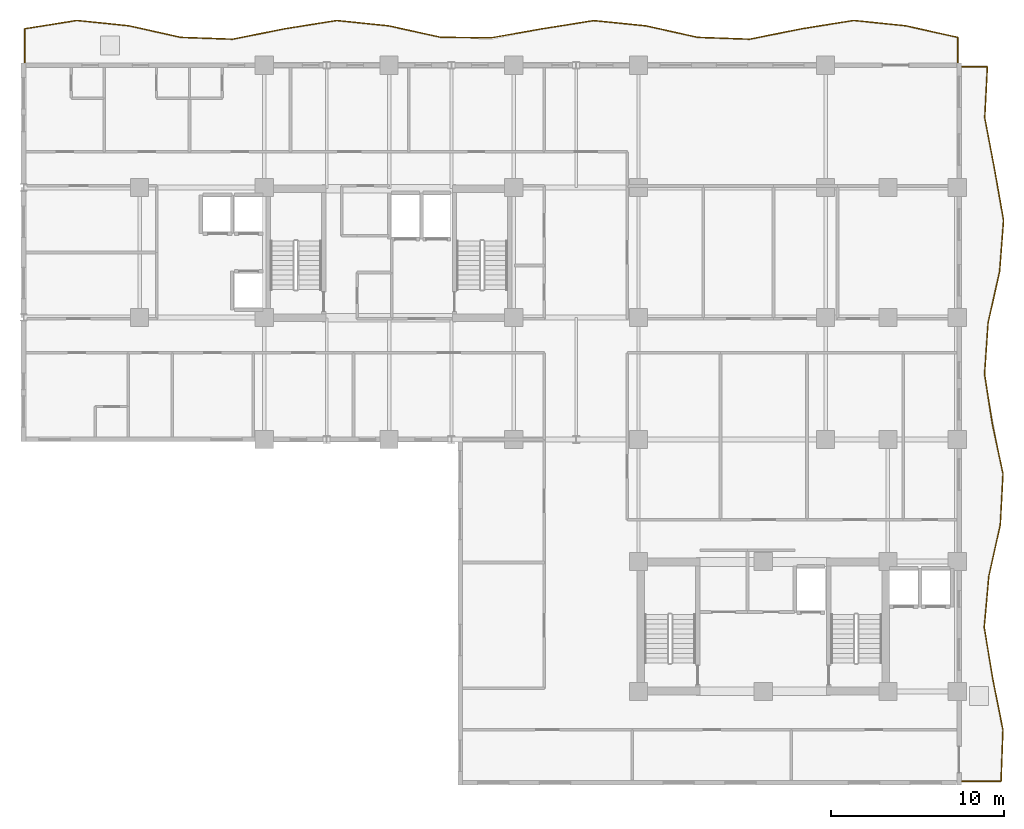
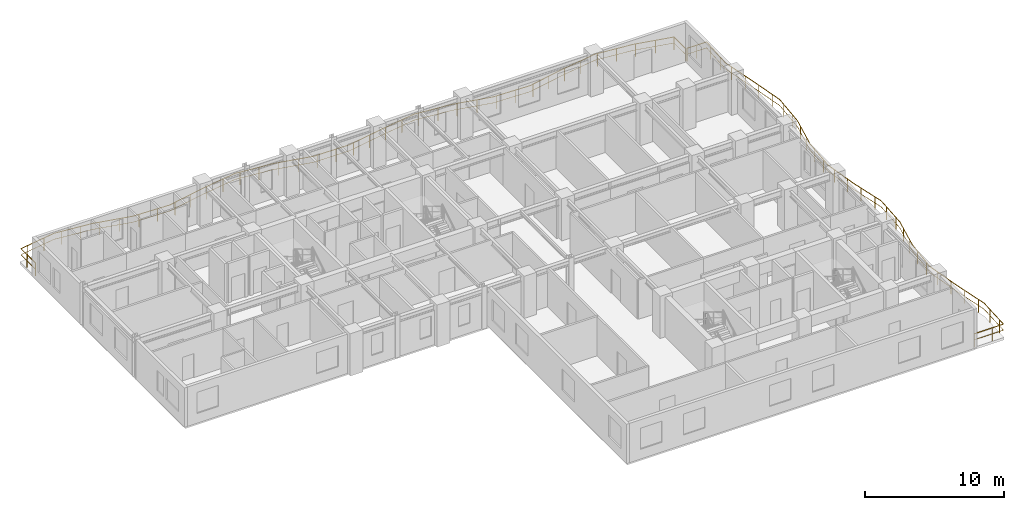
# One storey, part 13 of 13: 2 railings.
"""IFC4 building model written with IfcOpenShell, lengths in metres."""

from ifc_helpers import new_model, si_unit, direction, frame, origin, origin_2d, place, context, subcontext, project, spatial, rectangle, extrude, material, type_object, element, save


model = new_model("IFC4")

# Units and contexts
model_context = context("Model", 3, precision=1e-05, world=origin(), true_north=direction((0.0, 1.0)))
body_context = subcontext(model_context, "Body", "Model", "MODEL_VIEW")
ifc_project = project(units=[si_unit("LENGTHUNIT", "METRE"), si_unit("AREAUNIT", "SQUARE_METRE"), si_unit("VOLUMEUNIT", "CUBIC_METRE"), si_unit("PLANEANGLEUNIT", "RADIAN"), si_unit("MASSUNIT", "GRAM", prefix="KILO")], contexts=[model_context])

# Site, building, storey
site_placement = place(None, origin())
site = spatial("IfcSite", under=ifc_project, at=site_placement, CompositionType="ELEMENT")
building_placement = place(site_placement, origin())
building = spatial("IfcBuilding", under=site, at=building_placement, Name="Kaliganga Portal Commons", CompositionType="ELEMENT")
storey_placement = place(building_placement, frame((0.0, 0.0, 162.39990234375)))
storey = spatial("IfcBuildingStorey", under=building, at=storey_placement, Name="L41", CompositionType="ELEMENT", Elevation=162.39990234375)

# Railings
ifc_material = material(Name="Laminated Safety Glass and Stainless Steel 316", Category="steel")
railing_type = type_object("IfcRailingType", Name="RLG-BAL-1150", PredefinedType="BALUSTRADE", material=ifc_material)
railing_1_placement = place(storey_placement, frame((54.420166015625, 43.20556640625, 0.0)))
element("IfcRailing", 1, at=railing_1_placement, inside=storey, type_object=railing_type, Name="Balcony Guardrail L41 balc_north", PredefinedType="BALUSTRADE", context=body_context, shape_type="SweptSolid", body=[
    extrude(rectangle(XDim=0.048095703125, YDim=0.048095703125, at=origin_2d()), frame((0.0, 0.0, 1.1259765625), z_axis=(-0.000151883352, 0.999999988466, 0.0), x_axis=(-0.999999988466, -0.000151883352, 0.0)), (0.0, 0.0, 1.0), 1.607421875),
    extrude(rectangle(XDim=0.028076171875, YDim=0.028076171875, at=origin_2d()), frame((0.0, 0.0, 0.597900390625), z_axis=(-0.000151883352, 0.999999988466, 0.0), x_axis=(-0.999999988466, -0.000151883352, 0.0)), (0.0, 0.0, 1.0), 1.607421875),
    extrude(rectangle(XDim=0.048095703125, YDim=0.048095703125, at=origin_2d()), frame((-0.000244140625, 1.607421875, 1.1259765625), z_axis=(-0.975979173435, 0.217863840554, 0.0), x_axis=(-0.217863840554, -0.975979173435, 0.0)), (0.0, 0.0, 1.0), 3.07373046875),
    extrude(rectangle(XDim=0.028076171875, YDim=0.028076171875, at=origin_2d()), frame((-0.000244140625, 1.607421875, 0.597900390625), z_axis=(-0.975979173435, 0.217863840554, 0.0), x_axis=(-0.217863840554, -0.975979173435, 0.0)), (0.0, 0.0, 1.0), 3.07373046875),
    extrude(rectangle(XDim=0.048095703125, YDim=0.048095703125, at=origin_2d()), frame((-3.000244140625, 2.277099609375, 1.1259765625), z_axis=(-0.99479217812, 0.101924100932, 0.0), x_axis=(-0.101924100932, -0.99479217812, 0.0)), (0.0, 0.0, 1.0), 3.015625),
    extrude(rectangle(XDim=0.028076171875, YDim=0.028076171875, at=origin_2d()), frame((-3.000244140625, 2.277099609375, 0.597900390625), z_axis=(-0.99479217812, 0.101924100932, 0.0), x_axis=(-0.101924100932, -0.99479217812, 0.0)), (0.0, 0.0, 1.0), 3.015625),
    extrude(rectangle(XDim=0.048095703125, YDim=0.048095703125, at=origin_2d()), frame((-6.000244140625, 2.58447265625, 1.1259765625), z_axis=(-0.98747921595, -0.157749161858, 0.0), x_axis=(0.157749161858, -0.98747921595, 0.0)), (0.0, 0.0, 1.0), 3.0380859375),
    extrude(rectangle(XDim=0.028076171875, YDim=0.028076171875, at=origin_2d()), frame((-6.000244140625, 2.58447265625, 0.597900390625), z_axis=(-0.98747921595, -0.157749161858, 0.0), x_axis=(0.157749161858, -0.98747921595, 0.0)), (0.0, 0.0, 1.0), 3.0380859375),
    extrude(rectangle(XDim=0.048095703125, YDim=0.048095703125, at=origin_2d()), frame((-9.000244140625, 2.105224609375, 1.1259765625), z_axis=(-0.980405371108, -0.196990629986, 0.0), x_axis=(0.196990629986, -0.980405371108, 0.0)), (0.0, 0.0, 1.0), 3.06005859375),
    extrude(rectangle(XDim=0.028076171875, YDim=0.028076171875, at=origin_2d()), frame((-9.000244140625, 2.105224609375, 0.597900390625), z_axis=(-0.980405371108, -0.196990629986, 0.0), x_axis=(0.196990629986, -0.980405371108, 0.0)), (0.0, 0.0, 1.0), 3.06005859375),
    extrude(rectangle(XDim=0.048095703125, YDim=0.048095703125, at=origin_2d()), frame((-12.000244140625, 1.50244140625, 1.1259765625), z_axis=(-0.999376866679, 0.035297001964, 0.0), x_axis=(-0.035297001964, -0.999376866679, 0.0)), (0.0, 0.0, 1.0), 3.001953125),
    extrude(rectangle(XDim=0.028076171875, YDim=0.028076171875, at=origin_2d()), frame((-12.000244140625, 1.50244140625, 0.597900390625), z_axis=(-0.999376866679, 0.035297001964, 0.0), x_axis=(-0.035297001964, -0.999376866679, 0.0)), (0.0, 0.0, 1.0), 3.001953125),
    extrude(rectangle(XDim=0.048095703125, YDim=0.048095703125, at=origin_2d()), frame((-15.000244140625, 1.6083984375, 1.1259765625), z_axis=(-0.97621135664, 0.216821094838, 0.0), x_axis=(-0.216821094838, -0.97621135664, 0.0)), (0.0, 0.0, 1.0), 3.07275390625),
    extrude(rectangle(XDim=0.028076171875, YDim=0.028076171875, at=origin_2d()), frame((-15.000244140625, 1.6083984375, 0.597900390625), z_axis=(-0.97621135664, 0.216821094838, 0.0), x_axis=(-0.216821094838, -0.97621135664, 0.0)), (0.0, 0.0, 1.0), 3.07275390625),
    extrude(rectangle(XDim=0.048095703125, YDim=0.048095703125, at=origin_2d()), frame((-18.0, 2.274658203125, 1.1259765625), z_axis=(-0.994937270813, 0.10049789623, 0.0), x_axis=(-0.10049789623, -0.994937270813, 0.0)), (0.0, 0.0, 1.0), 3.014892578125),
    extrude(rectangle(XDim=0.028076171875, YDim=0.028076171875, at=origin_2d()), frame((-18.0, 2.274658203125, 0.597900390625), z_axis=(-0.994937270813, 0.10049789623, 0.0), x_axis=(-0.10049789623, -0.994937270813, 0.0)), (0.0, 0.0, 1.0), 3.014892578125),
    extrude(rectangle(XDim=0.048095703125, YDim=0.048095703125, at=origin_2d()), frame((-20.99951171875, 2.57763671875, 1.1259765625), z_axis=(-0.987543722899, -0.157344829476, 0.0), x_axis=(0.157344829476, -0.987543722899, 0.0)), (0.0, 0.0, 1.0), 3.0380859375),
    extrude(rectangle(XDim=0.028076171875, YDim=0.028076171875, at=origin_2d()), frame((-20.99951171875, 2.57763671875, 0.597900390625), z_axis=(-0.987543722899, -0.157344829476, 0.0), x_axis=(0.157344829476, -0.987543722899, 0.0)), (0.0, 0.0, 1.0), 3.0380859375),
    extrude(rectangle(XDim=0.048095703125, YDim=0.048095703125, at=origin_2d()), frame((-23.999755859375, 2.099609375, 1.1259765625), z_axis=(-0.984556518379, -0.175067021785, 0.0), x_axis=(0.175067021785, -0.984556518379, 0.0)), (0.0, 0.0, 1.0), 2.96630859375),
    extrude(rectangle(XDim=0.028076171875, YDim=0.028076171875, at=origin_2d()), frame((-23.999755859375, 2.099609375, 0.597900390625), z_axis=(-0.984556518379, -0.175067021785, 0.0), x_axis=(0.175067021785, -0.984556518379, 0.0)), (0.0, 0.0, 1.0), 2.96630859375),
    extrude(rectangle(XDim=0.048095703125, YDim=0.048095703125, at=origin_2d()), frame((-26.920166015625, 1.580322265625, 1.1259765625), z_axis=(-0.99993632214, 0.011285019519, 0.0), x_axis=(-0.011285019519, -0.99993632214, 0.0)), (0.0, 0.0, 1.0), 2.920654296875),
    extrude(rectangle(XDim=0.028076171875, YDim=0.028076171875, at=origin_2d()), frame((-26.920166015625, 1.580322265625, 0.597900390625), z_axis=(-0.99993632214, 0.011285019519, 0.0), x_axis=(-0.011285019519, -0.99993632214, 0.0)), (0.0, 0.0, 1.0), 2.920654296875),
    extrude(rectangle(XDim=0.048095703125, YDim=0.048095703125, at=origin_2d()), frame((-29.840576171875, 1.61328125, 1.1259765625), z_axis=(-0.976663478024, 0.214775349363, 0.0), x_axis=(-0.214775349363, -0.976663478024, 0.0)), (0.0, 0.0, 1.0), 3.071533203125),
    extrude(rectangle(XDim=0.028076171875, YDim=0.028076171875, at=origin_2d()), frame((-29.840576171875, 1.61328125, 0.597900390625), z_axis=(-0.976663478024, 0.214775349363, 0.0), x_axis=(-0.214775349363, -0.976663478024, 0.0)), (0.0, 0.0, 1.0), 3.071533203125),
    extrude(rectangle(XDim=0.048095703125, YDim=0.048095703125, at=origin_2d()), frame((-32.84033203125, 2.27294921875, 1.1259765625), z_axis=(-0.994776592164, 0.102076107309, 0.0), x_axis=(-0.102076107309, -0.994776592164, 0.0)), (0.0, 0.0, 1.0), 3.01611328125),
    extrude(rectangle(XDim=0.028076171875, YDim=0.028076171875, at=origin_2d()), frame((-32.84033203125, 2.27294921875, 0.597900390625), z_axis=(-0.994776592164, 0.102076107309, 0.0), x_axis=(-0.102076107309, -0.994776592164, 0.0)), (0.0, 0.0, 1.0), 3.01611328125),
    extrude(rectangle(XDim=0.048095703125, YDim=0.048095703125, at=origin_2d()), frame((-35.840576171875, 2.580810546875, 1.1259765625), z_axis=(-0.987637503988, -0.156755097898, 0.0), x_axis=(0.156755097898, -0.987637503988, 0.0)), (0.0, 0.0, 1.0), 3.037109375),
    extrude(rectangle(XDim=0.028076171875, YDim=0.028076171875, at=origin_2d()), frame((-35.840576171875, 2.580810546875, 0.597900390625), z_axis=(-0.987637503988, -0.156755097898, 0.0), x_axis=(0.156755097898, -0.987637503988, 0.0)), (0.0, 0.0, 1.0), 3.037109375),
    extrude(rectangle(XDim=0.048095703125, YDim=0.048095703125, at=origin_2d()), frame((-38.840087890625, 2.104736328125, 1.1259765625), z_axis=(-0.980436178169, -0.196837243778, 0.0), x_axis=(0.196837243778, -0.980436178169, 0.0)), (0.0, 0.0, 1.0), 3.059814453125),
    extrude(rectangle(XDim=0.028076171875, YDim=0.028076171875, at=origin_2d()), frame((-38.840087890625, 2.104736328125, 0.597900390625), z_axis=(-0.980436178169, -0.196837243778, 0.0), x_axis=(0.196837243778, -0.980436178169, 0.0)), (0.0, 0.0, 1.0), 3.059814453125),
    extrude(rectangle(XDim=0.048095703125, YDim=0.048095703125, at=origin_2d()), frame((-41.840087890625, 1.50244140625, 1.1259765625), z_axis=(-0.999382591304, 0.035134544226, 0.0), x_axis=(-0.035134544226, -0.999382591304, 0.0)), (0.0, 0.0, 1.0), 3.001953125),
    extrude(rectangle(XDim=0.028076171875, YDim=0.028076171875, at=origin_2d()), frame((-41.840087890625, 1.50244140625, 0.597900390625), z_axis=(-0.999382591304, 0.035134544226, 0.0), x_axis=(-0.035134544226, -0.999382591304, 0.0)), (0.0, 0.0, 1.0), 3.001953125),
    extrude(rectangle(XDim=0.048095703125, YDim=0.048095703125, at=origin_2d()), frame((-44.840087890625, 1.60791015625, 1.1259765625), z_axis=(-0.976029814467, 0.217636856416, 0.0), x_axis=(-0.217636856416, -0.976029814467, 0.0)), (0.0, 0.0, 1.0), 3.07373046875),
    extrude(rectangle(XDim=0.028076171875, YDim=0.028076171875, at=origin_2d()), frame((-44.840087890625, 1.60791015625, 0.597900390625), z_axis=(-0.976029814467, 0.217636856416, 0.0), x_axis=(-0.217636856416, -0.976029814467, 0.0)), (0.0, 0.0, 1.0), 3.07373046875),
    extrude(rectangle(XDim=0.048095703125, YDim=0.048095703125, at=origin_2d()), frame((-47.840087890625, 2.27685546875, 1.1259765625), z_axis=(-0.994775748616, 0.102084327718, 0.0), x_axis=(-0.102084327718, -0.994775748616, 0.0)), (0.0, 0.0, 1.0), 3.015869140625),
    extrude(rectangle(XDim=0.028076171875, YDim=0.028076171875, at=origin_2d()), frame((-47.840087890625, 2.27685546875, 0.597900390625), z_axis=(-0.994775748616, 0.102084327718, 0.0), x_axis=(-0.102084327718, -0.994775748616, 0.0)), (0.0, 0.0, 1.0), 3.015869140625),
    extrude(rectangle(XDim=0.048095703125, YDim=0.048095703125, at=origin_2d()), frame((-50.840087890625, 2.584716796875, 1.1259765625), z_axis=(-0.987491731196, -0.157670798878, 0.0), x_axis=(0.157670798878, -0.987491731196, 0.0)), (0.0, 0.0, 1.0), 3.0380859375),
    extrude(rectangle(XDim=0.028076171875, YDim=0.028076171875, at=origin_2d()), frame((-50.840087890625, 2.584716796875, 0.597900390625), z_axis=(-0.987491731196, -0.157670798878, 0.0), x_axis=(0.157670798878, -0.987491731196, 0.0)), (0.0, 0.0, 1.0), 3.0380859375),
    extrude(rectangle(XDim=0.048095703125, YDim=0.048095703125, at=origin_2d()), frame((-53.840087890625, 2.105712890625, 1.1259765625), z_axis=(-0.000115942028, -0.999999993279, 0.0), x_axis=(0.999999993279, -0.000115942028, 0.0)), (0.0, 0.0, 1.0), 2.105712890625),
    extrude(rectangle(XDim=0.028076171875, YDim=0.028076171875, at=origin_2d()), frame((-53.840087890625, 2.105712890625, 0.597900390625), z_axis=(-0.000115942028, -0.999999993279, 0.0), x_axis=(0.999999993279, -0.000115942028, 0.0)), (0.0, 0.0, 1.0), 2.105712890625),
    extrude(rectangle(XDim=0.0419921875, YDim=0.0419921875, at=origin_2d()), origin(), (0.0, 0.0, 1.0), 1.101806640625),
    extrude(rectangle(XDim=0.0419921875, YDim=0.0419921875, at=origin_2d()), frame((-0.000244140625, 1.607421875, 0.0)), (0.0, 0.0, 1.0), 1.101806640625),
    extrude(rectangle(XDim=0.0419921875, YDim=0.0419921875, at=origin_2d()), frame((-1.359375, 1.910888671875, 0.0)), (0.0, 0.0, 1.0), 1.101806640625),
    extrude(rectangle(XDim=0.0419921875, YDim=0.0419921875, at=origin_2d()), frame((-2.8232421875, 2.237548828125, 0.0)), (0.0, 0.0, 1.0), 1.101806640625),
    extrude(rectangle(XDim=0.0419921875, YDim=0.0419921875, at=origin_2d()), frame((-4.31201171875, 2.41162109375, 0.0)), (0.0, 0.0, 1.0), 1.101806640625),
    extrude(rectangle(XDim=0.0419921875, YDim=0.0419921875, at=origin_2d()), frame((-5.80419921875, 2.564453125, 0.0)), (0.0, 0.0, 1.0), 1.101806640625),
    extrude(rectangle(XDim=0.0419921875, YDim=0.0419921875, at=origin_2d()), frame((-7.286865234375, 2.37890625, 0.0)), (0.0, 0.0, 1.0), 1.101806640625),
    extrude(rectangle(XDim=0.0419921875, YDim=0.0419921875, at=origin_2d()), frame((-8.76806640625, 2.142333984375, 0.0)), (0.0, 0.0, 1.0), 1.101806640625),
    extrude(rectangle(XDim=0.0419921875, YDim=0.0419921875, at=origin_2d()), frame((-10.240478515625, 1.85595703125, 0.0)), (0.0, 0.0, 1.0), 1.101806640625),
    extrude(rectangle(XDim=0.0419921875, YDim=0.0419921875, at=origin_2d()), frame((-11.711181640625, 1.560546875, 0.0)), (0.0, 0.0, 1.0), 1.101806640625),
    extrude(rectangle(XDim=0.0419921875, YDim=0.0419921875, at=origin_2d()), frame((-13.20458984375, 1.544921875, 0.0)), (0.0, 0.0, 1.0), 1.101806640625),
    extrude(rectangle(XDim=0.0419921875, YDim=0.0419921875, at=origin_2d()), frame((-14.70361328125, 1.597900390625, 0.0)), (0.0, 0.0, 1.0), 1.101806640625),
    extrude(rectangle(XDim=0.0419921875, YDim=0.0419921875, at=origin_2d()), frame((-16.1748046875, 1.869384765625, 0.0)), (0.0, 0.0, 1.0), 1.101806640625),
    extrude(rectangle(XDim=0.0419921875, YDim=0.0419921875, at=origin_2d()), frame((-17.63916015625, 2.194580078125, 0.0)), (0.0, 0.0, 1.0), 1.101806640625),
    extrude(rectangle(XDim=0.0419921875, YDim=0.0419921875, at=origin_2d()), frame((-19.12451171875, 2.38818359375, 0.0)), (0.0, 0.0, 1.0), 1.101806640625),
    extrude(rectangle(XDim=0.0419921875, YDim=0.0419921875, at=origin_2d()), frame((-20.616943359375, 2.5390625, 0.0)), (0.0, 0.0, 1.0), 1.101806640625),
    extrude(rectangle(XDim=0.0419921875, YDim=0.0419921875, at=origin_2d()), frame((-22.10107421875, 2.402099609375, 0.0)), (0.0, 0.0, 1.0), 1.101806640625),
    extrude(rectangle(XDim=0.0419921875, YDim=0.0419921875, at=origin_2d()), frame((-23.58251953125, 2.166015625, 0.0)), (0.0, 0.0, 1.0), 1.101806640625),
    extrude(rectangle(XDim=0.0419921875, YDim=0.0419921875, at=origin_2d()), frame((-25.060546875, 1.910888671875, 0.0)), (0.0, 0.0, 1.0), 1.101806640625),
    extrude(rectangle(XDim=0.0419921875, YDim=0.0419921875, at=origin_2d()), frame((-26.537353515625, 1.6484375, 0.0)), (0.0, 0.0, 1.0), 1.101806640625),
    extrude(rectangle(XDim=0.0419921875, YDim=0.0419921875, at=origin_2d()), frame((-28.03125, 1.5927734375, 0.0)), (0.0, 0.0, 1.0), 1.101806640625),
    extrude(rectangle(XDim=0.0419921875, YDim=0.0419921875, at=origin_2d()), frame((-29.53125, 1.60986328125, 0.0)), (0.0, 0.0, 1.0), 1.101806640625),
    extrude(rectangle(XDim=0.0419921875, YDim=0.0419921875, at=origin_2d()), frame((-31.00341796875, 1.868896484375, 0.0)), (0.0, 0.0, 1.0), 1.101806640625),
    extrude(rectangle(XDim=0.0419921875, YDim=0.0419921875, at=origin_2d()), frame((-32.468505859375, 2.191162109375, 0.0)), (0.0, 0.0, 1.0), 1.101806640625),
    extrude(rectangle(XDim=0.0419921875, YDim=0.0419921875, at=origin_2d()), frame((-33.95361328125, 2.38720703125, 0.0)), (0.0, 0.0, 1.0), 1.101806640625),
    extrude(rectangle(XDim=0.0419921875, YDim=0.0419921875, at=origin_2d()), frame((-35.44580078125, 2.540283203125, 0.0)), (0.0, 0.0, 1.0), 1.101806640625),
    extrude(rectangle(XDim=0.0419921875, YDim=0.0419921875, at=origin_2d()), frame((-36.93017578125, 2.407958984375, 0.0)), (0.0, 0.0, 1.0), 1.101806640625),
    extrude(rectangle(XDim=0.0419921875, YDim=0.0419921875, at=origin_2d()), frame((-38.41162109375, 2.1728515625, 0.0)), (0.0, 0.0, 1.0), 1.101806640625),
    extrude(rectangle(XDim=0.0419921875, YDim=0.0419921875, at=origin_2d()), frame((-39.885498046875, 1.894775390625, 0.0)), (0.0, 0.0, 1.0), 1.101806640625),
    extrude(rectangle(XDim=0.0419921875, YDim=0.0419921875, at=origin_2d()), frame((-41.35595703125, 1.599609375, 0.0)), (0.0, 0.0, 1.0), 1.101806640625),
    extrude(rectangle(XDim=0.0419921875, YDim=0.0419921875, at=origin_2d()), frame((-42.845703125, 1.537841796875, 0.0)), (0.0, 0.0, 1.0), 1.101806640625),
    extrude(rectangle(XDim=0.0419921875, YDim=0.0419921875, at=origin_2d()), frame((-44.3447265625, 1.590576171875, 0.0)), (0.0, 0.0, 1.0), 1.101806640625),
    extrude(rectangle(XDim=0.0419921875, YDim=0.0419921875, at=origin_2d()), frame((-45.820556640625, 1.826416015625, 0.0)), (0.0, 0.0, 1.0), 1.101806640625),
    extrude(rectangle(XDim=0.0419921875, YDim=0.0419921875, at=origin_2d()), frame((-47.284423828125, 2.153076171875, 0.0)), (0.0, 0.0, 1.0), 1.101806640625),
    extrude(rectangle(XDim=0.0419921875, YDim=0.0419921875, at=origin_2d()), frame((-48.765869140625, 2.371826171875, 0.0)), (0.0, 0.0, 1.0), 1.101806640625),
    extrude(rectangle(XDim=0.0419921875, YDim=0.0419921875, at=origin_2d()), frame((-50.258056640625, 2.52490234375, 0.0)), (0.0, 0.0, 1.0), 1.101806640625),
    extrude(rectangle(XDim=0.0419921875, YDim=0.0419921875, at=origin_2d()), frame((-51.74365234375, 2.4404296875, 0.0)), (0.0, 0.0, 1.0), 1.101806640625),
    extrude(rectangle(XDim=0.0419921875, YDim=0.0419921875, at=origin_2d()), frame((-53.224853515625, 2.203857421875, 0.0)), (0.0, 0.0, 1.0), 1.101806640625),
    extrude(rectangle(XDim=0.0419921875, YDim=0.0419921875, at=origin_2d()), frame((-53.840087890625, 1.228759765625, 0.0)), (0.0, 0.0, 1.0), 1.101806640625),
    extrude(rectangle(XDim=0.0419921875, YDim=0.0419921875, at=origin_2d()), frame((-53.84033203125, 0.0, 0.0)), (0.0, 0.0, 1.0), 1.101806640625),
])
railing_2_placement = place(storey_placement, frame((54.5068359375, 1.879638671875, 0.0)))
element("IfcRailing", 2, at=railing_2_placement, inside=storey, type_object=railing_type, Name="Balcony Guardrail L41 balc_east", PredefinedType="BALUSTRADE", context=body_context, shape_type="SweptSolid", body=[
    extrude(rectangle(XDim=0.048095703125, YDim=0.048095703125, at=origin_2d()), frame((0.0, 0.0, 1.1259765625), z_axis=(0.999999994916, 0.000100836946, 0.0), x_axis=(-0.000100836946, 0.999999994916, 0.0)), (0.0, 0.0, 1.0), 2.421142578125),
    extrude(rectangle(XDim=0.028076171875, YDim=0.028076171875, at=origin_2d()), frame((0.0, 0.0, 0.597900390625), z_axis=(0.999999994916, 0.000100836946, 0.0), x_axis=(-0.000100836946, 0.999999994916, 0.0)), (0.0, 0.0, 1.0), 2.421142578125),
    extrude(rectangle(XDim=0.048095703125, YDim=0.048095703125, at=origin_2d()), frame((2.421142578125, 0.000244140625, 1.1259765625), z_axis=(0.037210012214, 0.999307467695, 0.0), x_axis=(-0.999307467695, 0.037210012214, 0.0)), (0.0, 0.0, 1.0), 2.958984375),
    extrude(rectangle(XDim=0.028076171875, YDim=0.028076171875, at=origin_2d()), frame((2.421142578125, 0.000244140625, 0.597900390625), z_axis=(0.037210012214, 0.999307467695, 0.0), x_axis=(-0.999307467695, 0.037210012214, 0.0)), (0.0, 0.0, 1.0), 2.958984375),
    extrude(rectangle(XDim=0.048095703125, YDim=0.048095703125, at=origin_2d()), frame((2.53125, 2.957275390625, 1.1259765625), z_axis=(-0.194823494829, 0.980838317901, 0.0), x_axis=(-0.980838317901, -0.194823494829, 0.0)), (0.0, 0.0, 1.0), 3.01513671875),
    extrude(rectangle(XDim=0.028076171875, YDim=0.028076171875, at=origin_2d()), frame((2.53125, 2.957275390625, 0.597900390625), z_axis=(-0.194823494829, 0.980838317901, 0.0), x_axis=(-0.980838317901, -0.194823494829, 0.0)), (0.0, 0.0, 1.0), 3.01513671875),
    extrude(rectangle(XDim=0.048095703125, YDim=0.048095703125, at=origin_2d()), frame((1.94384765625, 5.91455078125, 1.1259765625), z_axis=(-0.164332959712, 0.98640492616, 0.0), x_axis=(-0.98640492616, -0.164332959712, 0.0)), (0.0, 0.0, 1.0), 2.998046875),
    extrude(rectangle(XDim=0.028076171875, YDim=0.028076171875, at=origin_2d()), frame((1.94384765625, 5.91455078125, 0.597900390625), z_axis=(-0.164332959712, 0.98640492616, 0.0), x_axis=(-0.98640492616, -0.164332959712, 0.0)), (0.0, 0.0, 1.0), 2.998046875),
    extrude(rectangle(XDim=0.048095703125, YDim=0.048095703125, at=origin_2d()), frame((1.451171875, 8.871826171875, 1.1259765625), z_axis=(0.089223302323, 0.996011647684, 0.0), x_axis=(-0.996011647684, 0.089223302323, 0.0)), (0.0, 0.0, 1.0), 2.968994140625),
    extrude(rectangle(XDim=0.028076171875, YDim=0.028076171875, at=origin_2d()), frame((1.451171875, 8.871826171875, 0.597900390625), z_axis=(0.089223302323, 0.996011647684, 0.0), x_axis=(-0.996011647684, 0.089223302323, 0.0)), (0.0, 0.0, 1.0), 2.968994140625),
    extrude(rectangle(XDim=0.048095703125, YDim=0.048095703125, at=origin_2d()), frame((1.716064453125, 11.828857421875, 1.1259765625), z_axis=(0.218210068038, 0.975901822012, 0.0), x_axis=(-0.975901822012, 0.218210068038, 0.0)), (0.0, 0.0, 1.0), 3.02978515625),
    extrude(rectangle(XDim=0.028076171875, YDim=0.028076171875, at=origin_2d()), frame((1.716064453125, 11.828857421875, 0.597900390625), z_axis=(0.218210068038, 0.975901822012, 0.0), x_axis=(-0.975901822012, 0.218210068038, 0.0)), (0.0, 0.0, 1.0), 3.02978515625),
    extrude(rectangle(XDim=0.048095703125, YDim=0.048095703125, at=origin_2d()), frame((2.377197265625, 14.78564453125, 1.1259765625), z_axis=(0.053294936754, 0.998578814975, 0.0), x_axis=(-0.998578814975, 0.053294936754, 0.0)), (0.0, 0.0, 1.0), 2.959228515625),
    extrude(rectangle(XDim=0.028076171875, YDim=0.028076171875, at=origin_2d()), frame((2.377197265625, 14.78564453125, 0.597900390625), z_axis=(0.053294936754, 0.998578814975, 0.0), x_axis=(-0.998578814975, 0.053294936754, 0.0)), (0.0, 0.0, 1.0), 2.959228515625),
    extrude(rectangle(XDim=0.048095703125, YDim=0.048095703125, at=origin_2d()), frame((2.534912109375, 17.74072265625, 1.1259765625), z_axis=(-0.209964957533, 0.977708912002, 0.0), x_axis=(-0.977708912002, -0.209964957533, 0.0)), (0.0, 0.0, 1.0), 2.9453125),
    extrude(rectangle(XDim=0.028076171875, YDim=0.028076171875, at=origin_2d()), frame((2.534912109375, 17.74072265625, 0.597900390625), z_axis=(-0.209964957533, 0.977708912002, 0.0), x_axis=(-0.977708912002, -0.209964957533, 0.0)), (0.0, 0.0, 1.0), 2.9453125),
    extrude(rectangle(XDim=0.048095703125, YDim=0.048095703125, at=origin_2d()), frame((1.91650390625, 20.620361328125, 1.1259765625), z_axis=(-0.153184873644, 0.98819754831, 0.0), x_axis=(-0.98819754831, -0.153184873644, 0.0)), (0.0, 0.0, 1.0), 2.911865234375),
    extrude(rectangle(XDim=0.028076171875, YDim=0.028076171875, at=origin_2d()), frame((1.91650390625, 20.620361328125, 0.597900390625), z_axis=(-0.153184873644, 0.98819754831, 0.0), x_axis=(-0.98819754831, -0.153184873644, 0.0)), (0.0, 0.0, 1.0), 2.911865234375),
    extrude(rectangle(XDim=0.048095703125, YDim=0.048095703125, at=origin_2d()), frame((1.470458984375, 23.497802734375, 1.1259765625), z_axis=(0.068618330951, 0.997642984568, 0.0), x_axis=(-0.997642984568, 0.068618330951, 0.0)), (0.0, 0.0, 1.0), 2.9638671875),
    extrude(rectangle(XDim=0.028076171875, YDim=0.028076171875, at=origin_2d()), frame((1.470458984375, 23.497802734375, 0.597900390625), z_axis=(0.068618330951, 0.997642984568, 0.0), x_axis=(-0.997642984568, 0.068618330951, 0.0)), (0.0, 0.0, 1.0), 2.9638671875),
    extrude(rectangle(XDim=0.048095703125, YDim=0.048095703125, at=origin_2d()), frame((1.673828125, 26.45458984375, 1.1259765625), z_axis=(0.219402948514, 0.975634330158, 0.0), x_axis=(-0.975634330158, 0.219402948514, 0.0)), (0.0, 0.0, 1.0), 3.03125),
    extrude(rectangle(XDim=0.028076171875, YDim=0.028076171875, at=origin_2d()), frame((1.673828125, 26.45458984375, 0.597900390625), z_axis=(0.219402948514, 0.975634330158, 0.0), x_axis=(-0.975634330158, 0.219402948514, 0.0)), (0.0, 0.0, 1.0), 3.03125),
    extrude(rectangle(XDim=0.048095703125, YDim=0.048095703125, at=origin_2d()), frame((2.3388671875, 29.411865234375, 1.1259765625), z_axis=(0.076633553373, 0.997059325465, 0.0), x_axis=(-0.997059325465, 0.076633553373, 0.0)), (0.0, 0.0, 1.0), 2.966064453125),
    extrude(rectangle(XDim=0.028076171875, YDim=0.028076171875, at=origin_2d()), frame((2.3388671875, 29.411865234375, 0.597900390625), z_axis=(0.076633553373, 0.997059325465, 0.0), x_axis=(-0.997059325465, 0.076633553373, 0.0)), (0.0, 0.0, 1.0), 2.966064453125),
    extrude(rectangle(XDim=0.048095703125, YDim=0.048095703125, at=origin_2d()), frame((2.566162109375, 32.369140625, 1.1259765625), z_axis=(-0.172964176253, 0.984928116023, 0.0), x_axis=(-0.984928116023, -0.172964176253, 0.0)), (0.0, 0.0, 1.0), 3.002197265625),
    extrude(rectangle(XDim=0.028076171875, YDim=0.028076171875, at=origin_2d()), frame((2.566162109375, 32.369140625, 0.597900390625), z_axis=(-0.172964176253, 0.984928116023, 0.0), x_axis=(-0.984928116023, -0.172964176253, 0.0)), (0.0, 0.0, 1.0), 3.002197265625),
    extrude(rectangle(XDim=0.048095703125, YDim=0.048095703125, at=origin_2d()), frame((2.046875, 35.326171875, 1.1259765625), z_axis=(-0.187969082258, 0.982174945778, 0.0), x_axis=(-0.982174945778, -0.187969082258, 0.0)), (0.0, 0.0, 1.0), 3.0107421875),
    extrude(rectangle(XDim=0.028076171875, YDim=0.028076171875, at=origin_2d()), frame((2.046875, 35.326171875, 0.597900390625), z_axis=(-0.187969082258, 0.982174945778, 0.0), x_axis=(-0.982174945778, -0.187969082258, 0.0)), (0.0, 0.0, 1.0), 3.0107421875),
    extrude(rectangle(XDim=0.048095703125, YDim=0.048095703125, at=origin_2d()), frame((1.48095703125, 38.283203125, 1.1259765625), z_axis=(0.051199992486, 0.998688420264, 0.0), x_axis=(-0.998688420264, 0.051199992486, 0.0)), (0.0, 0.0, 1.0), 2.961181640625),
    extrude(rectangle(XDim=0.028076171875, YDim=0.028076171875, at=origin_2d()), frame((1.48095703125, 38.283203125, 0.597900390625), z_axis=(0.051199992486, 0.998688420264, 0.0), x_axis=(-0.998688420264, 0.051199992486, 0.0)), (0.0, 0.0, 1.0), 2.961181640625),
    extrude(rectangle(XDim=0.048095703125, YDim=0.048095703125, at=origin_2d()), frame((1.632568359375, 41.240478515625, 1.1259765625), z_axis=(-0.999999988818, 0.000149543889, 0.0), x_axis=(-0.000149543889, -0.999999988818, 0.0)), (0.0, 0.0, 1.0), 1.632568359375),
    extrude(rectangle(XDim=0.028076171875, YDim=0.028076171875, at=origin_2d()), frame((1.632568359375, 41.240478515625, 0.597900390625), z_axis=(-0.999999988818, 0.000149543889, 0.0), x_axis=(-0.000149543889, -0.999999988818, 0.0)), (0.0, 0.0, 1.0), 1.632568359375),
    extrude(rectangle(XDim=0.0419921875, YDim=0.0419921875, at=origin_2d()), origin(), (0.0, 0.0, 1.0), 1.101806640625),
    extrude(rectangle(XDim=0.0419921875, YDim=0.0419921875, at=origin_2d()), frame((1.5, 0.000244140625, 0.0)), (0.0, 0.0, 1.0), 1.101806640625),
    extrude(rectangle(XDim=0.0419921875, YDim=0.0419921875, at=origin_2d()), frame((2.442626953125, 0.57861328125, 0.0)), (0.0, 0.0, 1.0), 1.101806640625),
    extrude(rectangle(XDim=0.0419921875, YDim=0.0419921875, at=origin_2d()), frame((2.49853515625, 2.07763671875, 0.0)), (0.0, 0.0, 1.0), 1.101806640625),
    extrude(rectangle(XDim=0.0419921875, YDim=0.0419921875, at=origin_2d()), frame((2.410400390625, 3.565185546875, 0.0)), (0.0, 0.0, 1.0), 1.101806640625),
    extrude(rectangle(XDim=0.0419921875, YDim=0.0419921875, at=origin_2d()), frame((2.1181640625, 5.036376953125, 0.0)), (0.0, 0.0, 1.0), 1.101806640625),
    extrude(rectangle(XDim=0.0419921875, YDim=0.0419921875, at=origin_2d()), frame((1.844482421875, 6.510986328125, 0.0)), (0.0, 0.0, 1.0), 1.101806640625),
    extrude(rectangle(XDim=0.0419921875, YDim=0.0419921875, at=origin_2d()), frame((1.597900390625, 7.99072265625, 0.0)), (0.0, 0.0, 1.0), 1.101806640625),
    extrude(rectangle(XDim=0.0419921875, YDim=0.0419921875, at=origin_2d()), frame((1.50537109375, 9.47607421875, 0.0)), (0.0, 0.0, 1.0), 1.101806640625),
    extrude(rectangle(XDim=0.0419921875, YDim=0.0419921875, at=origin_2d()), frame((1.63916015625, 10.97021484375, 0.0)), (0.0, 0.0, 1.0), 1.101806640625),
    extrude(rectangle(XDim=0.0419921875, YDim=0.0419921875, at=origin_2d()), frame((1.855224609375, 12.451416015625, 0.0)), (0.0, 0.0, 1.0), 1.101806640625),
    extrude(rectangle(XDim=0.0419921875, YDim=0.0419921875, at=origin_2d()), frame((2.1826171875, 13.915283203125, 0.0)), (0.0, 0.0, 1.0), 1.101806640625),
    extrude(rectangle(XDim=0.0419921875, YDim=0.0419921875, at=origin_2d()), frame((2.40966796875, 15.392822265625, 0.0)), (0.0, 0.0, 1.0), 1.101806640625),
    extrude(rectangle(XDim=0.0419921875, YDim=0.0419921875, at=origin_2d()), frame((2.489501953125, 16.890625, 0.0)), (0.0, 0.0, 1.0), 1.101806640625),
    extrude(rectangle(XDim=0.0419921875, YDim=0.0419921875, at=origin_2d()), frame((2.398681640625, 18.375, 0.0)), (0.0, 0.0, 1.0), 1.101806640625),
    extrude(rectangle(XDim=0.0419921875, YDim=0.0419921875, at=origin_2d()), frame((2.083740234375, 19.841552734375, 0.0)), (0.0, 0.0, 1.0), 1.101806640625),
    extrude(rectangle(XDim=0.0419921875, YDim=0.0419921875, at=origin_2d()), frame((1.808837890625, 21.3154296875, 0.0)), (0.0, 0.0, 1.0), 1.101806640625),
    extrude(rectangle(XDim=0.0419921875, YDim=0.0419921875, at=origin_2d()), frame((1.578857421875, 22.7978515625, 0.0)), (0.0, 0.0, 1.0), 1.101806640625),
    extrude(rectangle(XDim=0.0419921875, YDim=0.0419921875, at=origin_2d()), frame((1.524658203125, 24.28759765625, 0.0)), (0.0, 0.0, 1.0), 1.101806640625),
    extrude(rectangle(XDim=0.0419921875, YDim=0.0419921875, at=origin_2d()), frame((1.627685546875, 25.783935546875, 0.0)), (0.0, 0.0, 1.0), 1.101806640625),
    extrude(rectangle(XDim=0.0419921875, YDim=0.0419921875, at=origin_2d()), frame((1.85546875, 27.26220703125, 0.0)), (0.0, 0.0, 1.0), 1.101806640625),
    extrude(rectangle(XDim=0.0419921875, YDim=0.0419921875, at=origin_2d()), frame((2.1845703125, 28.725830078125, 0.0)), (0.0, 0.0, 1.0), 1.101806640625),
    extrude(rectangle(XDim=0.0419921875, YDim=0.0419921875, at=origin_2d()), frame((2.39990234375, 30.206298828125, 0.0)), (0.0, 0.0, 1.0), 1.101806640625),
    extrude(rectangle(XDim=0.0419921875, YDim=0.0419921875, at=origin_2d()), frame((2.514892578125, 31.701904296875, 0.0)), (0.0, 0.0, 1.0), 1.101806640625),
    extrude(rectangle(XDim=0.0419921875, YDim=0.0419921875, at=origin_2d()), frame((2.42236328125, 33.187255859375, 0.0)), (0.0, 0.0, 1.0), 1.101806640625),
    extrude(rectangle(XDim=0.0419921875, YDim=0.0419921875, at=origin_2d()), frame((2.1630859375, 34.664794921875, 0.0)), (0.0, 0.0, 1.0), 1.101806640625),
    extrude(rectangle(XDim=0.0419921875, YDim=0.0419921875, at=origin_2d()), frame((1.89111328125, 36.139892578125, 0.0)), (0.0, 0.0, 1.0), 1.101806640625),
    extrude(rectangle(XDim=0.0419921875, YDim=0.0419921875, at=origin_2d()), frame((1.609130859375, 37.613037109375, 0.0)), (0.0, 0.0, 1.0), 1.101806640625),
    extrude(rectangle(XDim=0.0419921875, YDim=0.0419921875, at=origin_2d()), frame((1.522705078125, 39.099853515625, 0.0)), (0.0, 0.0, 1.0), 1.101806640625),
    extrude(rectangle(XDim=0.0419921875, YDim=0.0419921875, at=origin_2d()), frame((1.599609375, 40.597900390625, 0.0)), (0.0, 0.0, 1.0), 1.101806640625),
    extrude(rectangle(XDim=0.0419921875, YDim=0.0419921875, at=origin_2d()), frame((0.77587890625, 41.24072265625, 0.0)), (0.0, 0.0, 1.0), 1.101806640625),
    extrude(rectangle(XDim=0.0419921875, YDim=0.0419921875, at=origin_2d()), frame((0.0, 41.24072265625, 0.0)), (0.0, 0.0, 1.0), 1.101806640625),
])

save(model, "model.ifc")
